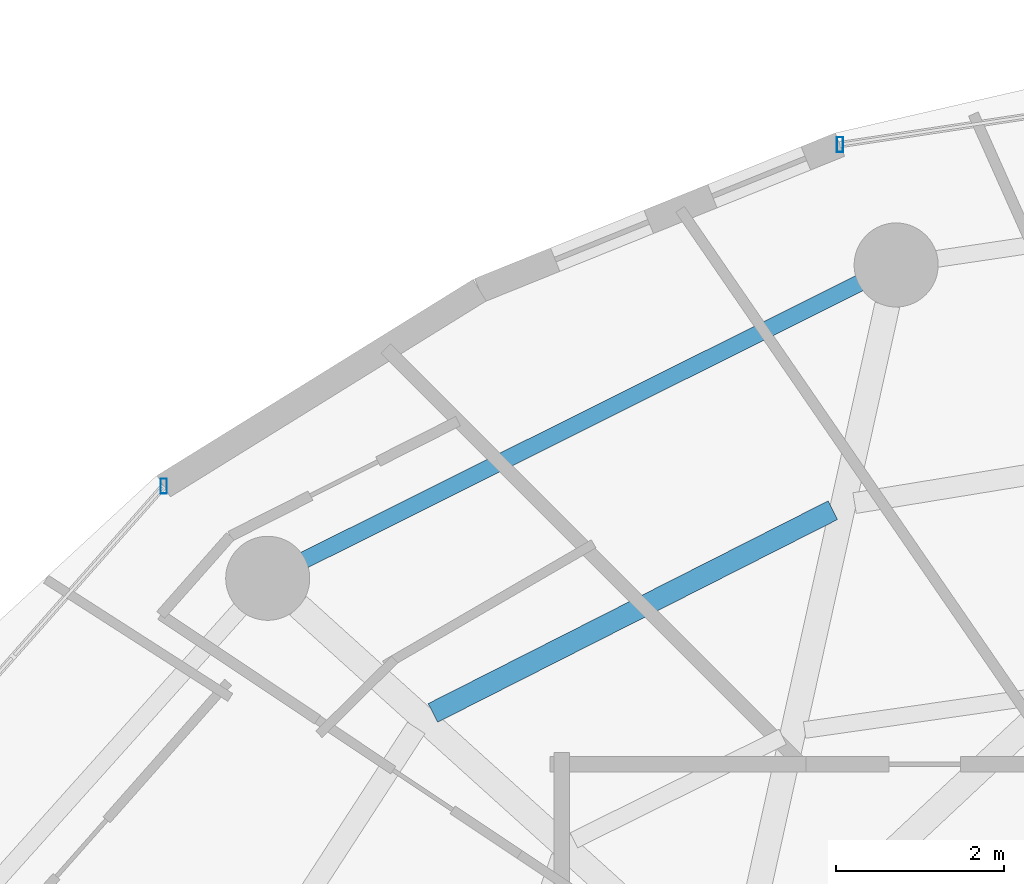
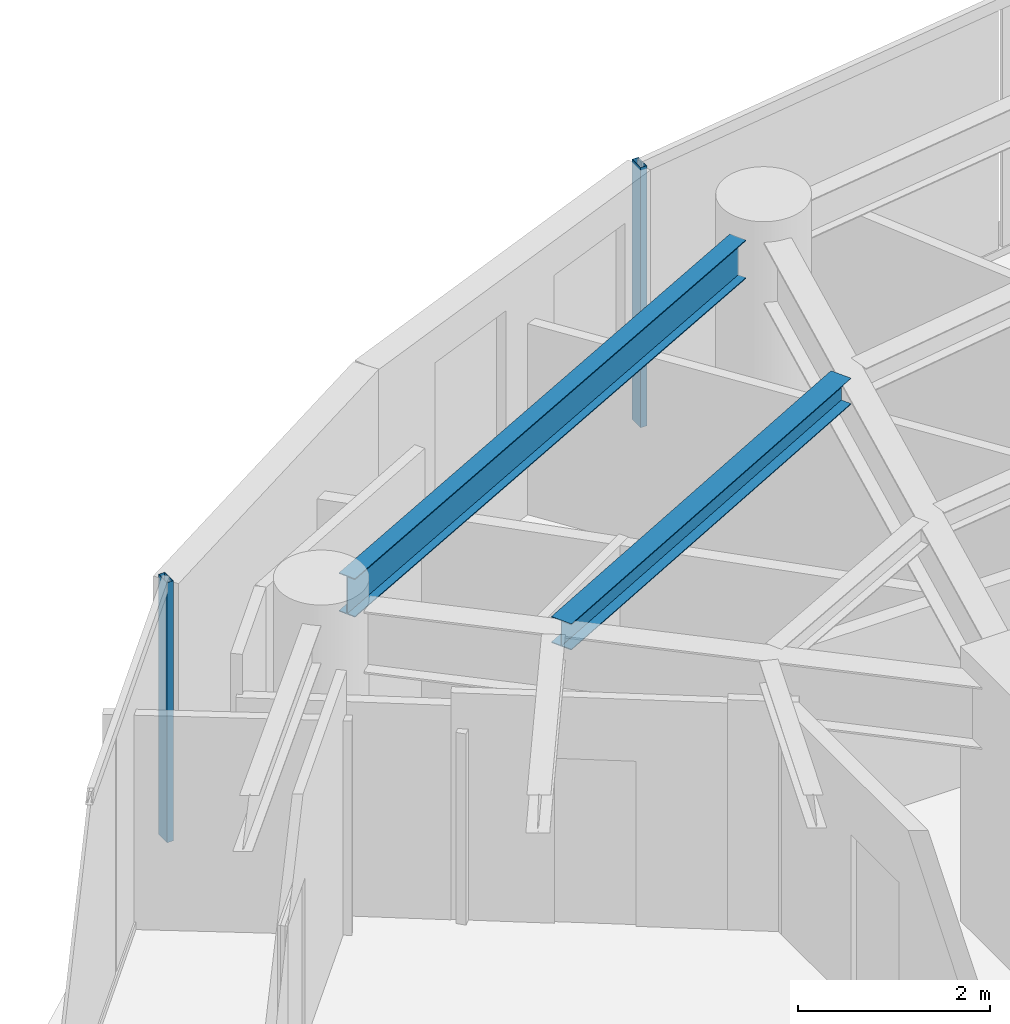
# One storey, part 15 of 28: 2 beams, 2 members, 2 elements without a shape of their own.
"""IFC4 building model written with IfcOpenShell, lengths in metres."""

from ifc_helpers import new_model, si_unit, direction, frame, origin, origin_2d, place, context, subcontext, project, spatial, hollow_rectangle, i_section, extrude, material, material_profile, profile_set, type_object, element, aggregate, save


model = new_model("IFC4")

# Units and contexts
model_context = context("Model", 3, precision=1e-05, world=origin(), true_north=direction((0.0, 1.0)))
body_context = subcontext(model_context, "Body", "Model", "MODEL_VIEW")
ifc_project = project(units=[si_unit("LENGTHUNIT", "METRE"), si_unit("AREAUNIT", "SQUARE_METRE"), si_unit("VOLUMEUNIT", "CUBIC_METRE"), si_unit("PLANEANGLEUNIT", "RADIAN"), si_unit("MASSUNIT", "GRAM", prefix="KILO")], contexts=[model_context])

# Site, building, storey
site_placement = place(None, origin())
site = spatial("IfcSite", under=ifc_project, at=site_placement, CompositionType="ELEMENT")
building_placement = place(site_placement, origin())
building = spatial("IfcBuilding", under=site, at=building_placement, Name="Vorneva Point Tower", CompositionType="ELEMENT")
storey_placement = place(building_placement, frame((0.0, 0.0, 160.60009765625)))
storey = spatial("IfcBuildingStorey", under=building, at=storey_placement, Name="L43", CompositionType="ELEMENT", Elevation=160.60009765625)

# Beams
ifc_material_1 = material(Name="Steel S355", Category="steel")
ifc_material_profile_1 = material_profile(ifc_material_1, i_section(OverallWidth=0.2490234375, OverallDepth=0.333984375, WebThickness=0.008056640625, FlangeThickness=0.010986328125, at=origin_2d()), Name="35Sh1")
ifc_profile_set_1 = profile_set([ifc_material_profile_1], Name="Steel S355")
beam_type_1 = type_object("IfcBeamType", Name="BM-SEC-35Sh1", PredefinedType="BEAM", material=ifc_profile_set_1)
beam_1_placement = place(storey_placement, frame((28.425537109375, 38.97216796875, 3.072998046875), z_axis=(-0.891979436535, -0.452075972375, 0.0), x_axis=(0.452075972375, -0.891979436535, 0.0)))
element("IfcBeam", 1, at=beam_1_placement, inside=storey, type_object=beam_type_1, Name="L43 Secondary Floor Beam 1.06", PredefinedType="BEAM", context=body_context, shape_type="SweptSolid", body=[
    extrude(i_section(OverallWidth=0.2490234375, OverallDepth=0.333984375, WebThickness=0.008056640625, FlangeThickness=0.010986328125, at=origin_2d()), origin(), (0.0, 0.0, 1.0), 5.335205078125),
])
ifc_material_profile_2 = material_profile(ifc_material_1, i_section(OverallWidth=0.199951171875, OverallDepth=0.491943359375, WebThickness=0.0087890625, FlangeThickness=0.011962890625, at=origin_2d()), Name="50B1")
ifc_profile_set_2 = profile_set([ifc_material_profile_2], Name="Steel S355")
beam_type_2 = type_object("IfcBeamType", Name="BM-SPN-50B1", PredefinedType="SPANDREL", material=ifc_profile_set_2)
beam_2_placement = place(storey_placement, frame((28.7451171875, 41.67431640625, 2.993896484375), z_axis=(-0.894929061397, -0.446208443518, 0.0), x_axis=(0.446208443518, -0.894929061397, 0.0)))
element("IfcBeam", 2, at=beam_2_placement, inside=storey, type_object=beam_type_2, Name="L43 Perimeter Spandrel Ring Beam 06", PredefinedType="SPANDREL", context=body_context, shape_type="SweptSolid", body=[
    extrude(i_section(OverallWidth=0.199951171875, OverallDepth=0.491943359375, WebThickness=0.0087890625, FlangeThickness=0.011962890625, at=origin_2d()), origin(), (0.0, 0.0, 1.0), 7.385986328125),
])

# Curtain wall, member
ifc_material_2 = material(Name="Pale anodised aluminium", Category="aluminium")
curtain_wall_type = type_object("IfcCurtainWallType", Name="CW-RES-SYS", PredefinedType="NOTDEFINED", material=ifc_material_2)
curtain_wall_1_placement = place(storey_placement, origin())
curtain_wall_1 = element("IfcCurtainWall", 3, at=curtain_wall_1_placement, inside=storey, type_object=curtain_wall_type, Name="L43 Unitised Curtain Wall CW-L43-R02", PredefinedType="NOTDEFINED")
ifc_material_profile_3 = material_profile(ifc_material_2, hollow_rectangle(XDim=0.074951171875, YDim=0.179931640625, WallThickness=0.00390625, at=origin_2d()), Name="AL-MUL 180x75x4")
ifc_profile_set_3 = profile_set([ifc_material_profile_3], Name="Pale anodised aluminium")
member_type = type_object("IfcMemberType", Name="CW-MUL-180", PredefinedType="MULLION", material=ifc_profile_set_3)
member_1_placement = place(storey_placement, frame((28.509521484375, 43.32275390625, -0.0400390625), z_axis=(0.0, 0.0, 1.0), x_axis=(1.0, 0.0, 0.0)))
member_1 = element("IfcMember", 4, at=member_1_placement, type_object=member_type, Name="CW-L43-R02 Mullion 03", PredefinedType="MULLION", context=body_context, shape_type="SweptSolid", body=[
    extrude(hollow_rectangle(XDim=0.074951171875, YDim=0.179931640625, WallThickness=0.00390625, at=origin_2d()), origin(), (0.0, 0.0, 1.0), 3.31005859375),
])
aggregate(curtain_wall_1, [member_1])

curtain_wall_2_placement = place(storey_placement, origin())
curtain_wall_2 = element("IfcCurtainWall", 5, at=curtain_wall_2_placement, inside=storey, type_object=curtain_wall_type, Name="L43 Unitised Curtain Wall CW-L43-R03", PredefinedType="NOTDEFINED")
member_2_placement = place(storey_placement, frame((20.4638671875, 39.25830078125, -0.0400390625), z_axis=(0.0, 0.0, 1.0), x_axis=(1.0, 0.0, 0.0)))
member_2 = element("IfcMember", 6, at=member_2_placement, type_object=member_type, Name="CW-L43-R03 Mullion 01", PredefinedType="MULLION", context=body_context, shape_type="SweptSolid", body=[
    extrude(hollow_rectangle(XDim=0.074951171875, YDim=0.179931640625, WallThickness=0.00390625, at=origin_2d()), origin(), (0.0, 0.0, 1.0), 3.31005859375),
])
aggregate(curtain_wall_2, [member_2])

save(model, "model.ifc")
